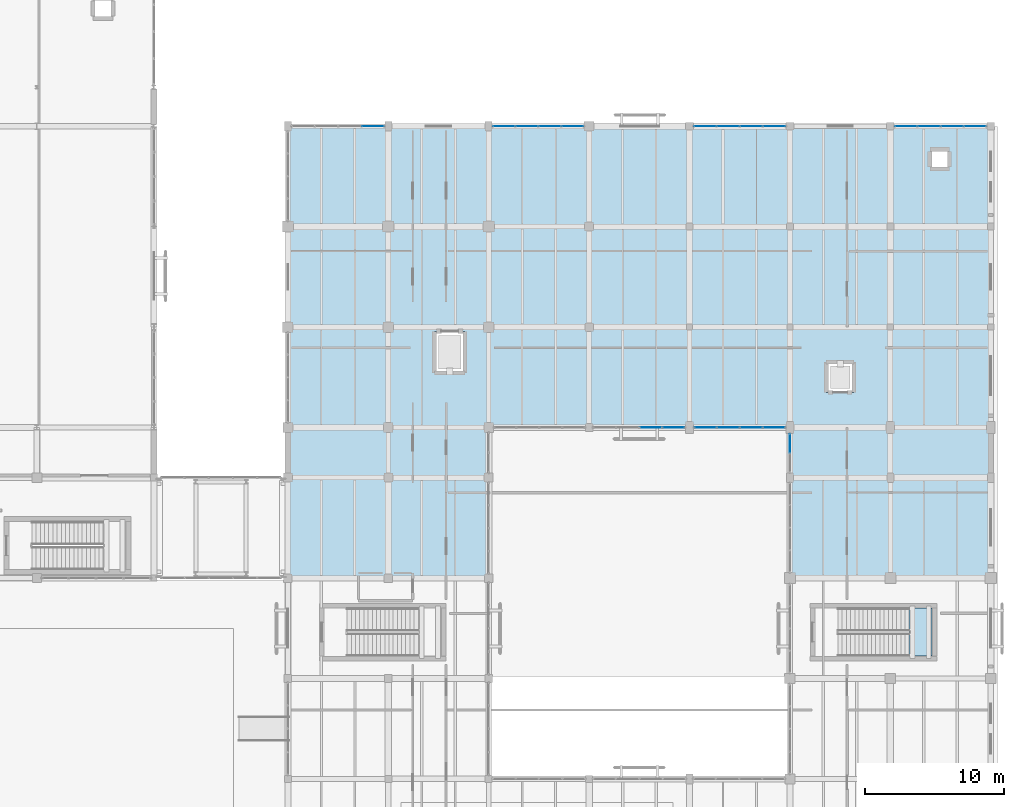
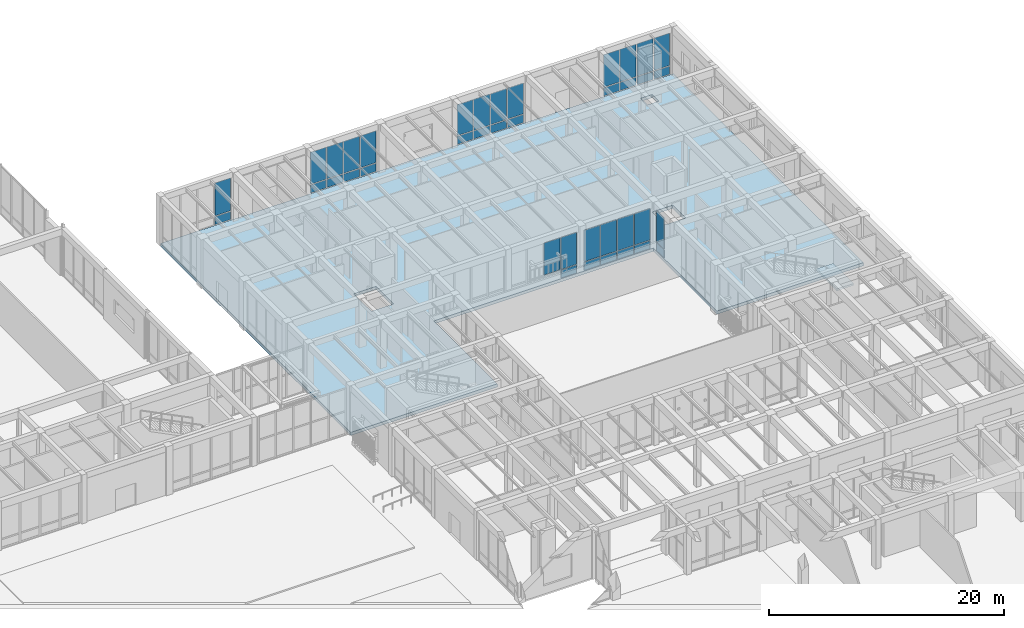
# One storey, part 119 of 169: 39 plates, 2 slabs, 8 elements without a shape of their own.
"""IFC4 building model written with IfcOpenShell, lengths in metres."""

from ifc_helpers import new_model, si_unit, direction, frame, origin, origin_2d, place, context, subcontext, project, spatial, polyline, rectangle, outline, extrude, material, layer, layer_set, type_object, element, aggregate, save


model = new_model("IFC4")

# Units and contexts
model_context = context("Model", 3, precision=1e-05, world=origin(), true_north=direction((0.0, 1.0)))
body_context = subcontext(model_context, "Body", "Model", "MODEL_VIEW")
ifc_project = project(units=[si_unit("LENGTHUNIT", "METRE"), si_unit("AREAUNIT", "SQUARE_METRE"), si_unit("VOLUMEUNIT", "CUBIC_METRE"), si_unit("PLANEANGLEUNIT", "RADIAN"), si_unit("MASSUNIT", "GRAM", prefix="KILO")], contexts=[model_context])

# Site, building, storey
site_placement = place(None, origin())
site = spatial("IfcSite", under=ifc_project, at=site_placement, CompositionType="ELEMENT")
building_placement = place(site_placement, origin())
building = spatial("IfcBuilding", under=site, at=building_placement, Name="Mazaris Harbour Polytechnic", CompositionType="ELEMENT")
storey_placement = place(building_placement, origin())
storey = spatial("IfcBuildingStorey", under=building, at=storey_placement, Name="L00", CompositionType="ELEMENT", Elevation=0.0)

# Slab
ifc_material_1 = material(Name="Concrete C35/45", Category="concrete")
ifc_layer_1 = layer(ifc_material_1, 0.320068359375, Name="Concrete C35/45")
ifc_layer_set_1 = layer_set([ifc_layer_1], Name="Concrete C35/45")
slab_type_1 = type_object("IfcSlabType", Name="RC Podium Slab 320", PredefinedType="FLOOR", material=ifc_layer_set_1)
slab_1_placement = place(storey_placement, frame((0.0, 0.0, -0.320068359375)))
element("IfcSlab", 1, at=slab_1_placement, inside=storey, type_object=slab_type_1, Name="V5 L00 Floor Slab", PredefinedType="FLOOR", context=body_context, shape_type="SweptSolid", body=[
    extrude(outline(polyline([(172.800048828125, 75.60009765625), (158.39990234375, 75.60009765625), (158.39990234375, 86.39990234375), (136.800048828125, 86.39990234375), (136.800048828125, 75.60009765625), (122.39990234375, 75.60009765625), (122.39990234375, 108.0), (172.800048828125, 108.0), (172.800048828125, 75.60009765625)]), holes=[polyline([(135.10009765625, 93.300048828125), (132.89990234375, 93.300048828125), (132.89990234375, 90.300048828125), (135.10009765625, 90.300048828125), (135.10009765625, 93.300048828125)]), polyline([(163.0, 88.89990234375), (163.0, 91.10009765625), (161.0, 91.10009765625), (161.0, 88.89990234375), (163.0, 88.89990234375)]), polyline([(168.580078125, 106.199951171875), (168.580078125, 105.080078125), (169.699951171875, 105.080078125), (169.699951171875, 106.199951171875), (168.580078125, 106.199951171875)])]), origin(), (0.0, 0.0, 1.0), 0.320068359375),
])

# Stair, slab
ifc_material_2 = material(Name="Concrete C40/50", Category="concrete")
stair_type = type_object("IfcStairType", Name="Core Exit Stair H5400", PredefinedType="HALF_TURN_STAIR", material=ifc_material_2)
stair_placement = place(storey_placement, origin())
stair = element("IfcStair", 2, at=stair_placement, inside=storey, type_object=stair_type, Name="L00 ST10", PredefinedType="HALF_TURN_STAIR")
ifc_material_3 = material(Name="Concrete C40/50", Category="concrete")
ifc_layer_2 = layer(ifc_material_3, 0.199951171875, Name="Concrete C40/50")
ifc_layer_set_2 = layer_set([ifc_layer_2], Name="Concrete C40/50")
slab_type_2 = type_object("IfcSlabType", Name="RC Stair Landing 200", PredefinedType="LANDING", material=ifc_layer_set_2)
slab_2_placement = place(storey_placement, frame((0.0, 0.0, 2.5)))
slab_2 = element("IfcSlab", 3, at=slab_2_placement, type_object=slab_type_2, Name="ST10 landing 1", PredefinedType="LANDING", context=body_context, shape_type="SweptSolid", body=[
    extrude(outline(polyline([(166.949951171875, 70.0), (168.60009765625, 70.0), (168.60009765625, 73.449951171875), (166.949951171875, 73.449951171875), (166.949951171875, 70.0)])), origin(), (0.0, 0.0, 1.0), 0.199951171875),
])
aggregate(stair, [slab_2])

# Curtain wall, plates
ifc_material_4 = material(Name="Anodised Bronze Aluminium and Low-E Glass", Category="aluminium")
ifc_layer_3 = layer(ifc_material_4, 0.169921875, Name="Anodised Bronze Aluminium and Low-E Glass")
ifc_layer_set_3 = layer_set([ifc_layer_3], Name="Anodised Bronze Aluminium and Low-E Glass")
curtain_wall_type = type_object("IfcCurtainWallType", Name="Studio North-Light Curtain Wall", PredefinedType="NOTDEFINED", material=ifc_layer_set_3)
curtain_wall_1_placement = place(storey_placement, origin())
curtain_wall_1 = element("IfcCurtainWall", 4, at=curtain_wall_1_placement, inside=storey, type_object=curtain_wall_type, Name="V5 L00 Curtain Wall 183", PredefinedType="NOTDEFINED")
ifc_material_5 = material(Name="Solar-Control Low-E Glazing", Category="glass")
ifc_layer_4 = layer(ifc_material_5, 0.031982421875, Name="Solar-Control Low-E Glazing")
ifc_layer_set_4 = layer_set([ifc_layer_4], Name="Solar-Control Low-E Glazing")
plate_type = type_object("IfcPlateType", Name="Solar Control Studio Glass Panel 32", PredefinedType="CURTAIN_PANEL", material=ifc_layer_set_4)
plate_1_placement = place(storey_placement, frame((128.49853515625, 108.0, 0.080078125), z_axis=(0.0, 0.0, 1.0), x_axis=(1.0, 0.0, 0.0)))
plate_1 = element("IfcPlate", 5, at=plate_1_placement, type_object=plate_type, Name="CW-03 panel 4.1", PredefinedType="CURTAIN_PANEL", context=body_context, shape_type="SweptSolid", body=[
    extrude(rectangle(XDim=1.55908203125, YDim=0.031982421875, at=origin_2d()), origin(), (0.0, 0.0, 1.0), 0.830078125),
])
plate_2_placement = place(storey_placement, frame((128.49853515625, 108.0, 0.989990234375), z_axis=(0.0, 0.0, 1.0), x_axis=(1.0, 0.0, 0.0)))
plate_2 = element("IfcPlate", 6, at=plate_2_placement, type_object=plate_type, Name="CW-03 panel 4.2", PredefinedType="CURTAIN_PANEL", context=body_context, shape_type="SweptSolid", body=[
    extrude(rectangle(XDim=1.55908203125, YDim=0.031982421875, at=origin_2d()), origin(), (0.0, 0.0, 1.0), 3.419921875),
])
aggregate(curtain_wall_1, [plate_1, plate_2])

curtain_wall_2_placement = place(storey_placement, origin())
curtain_wall_2 = element("IfcCurtainWall", 7, at=curtain_wall_2_placement, inside=storey, type_object=curtain_wall_type, Name="V5 L00 Curtain Wall 184", PredefinedType="NOTDEFINED")
plate_3_placement = place(storey_placement, frame((137.888916015625, 108.0, 0.080078125), z_axis=(0.0, 0.0, 1.0), x_axis=(1.0, 0.0, 0.0)))
plate_3 = element("IfcPlate", 8, at=plate_3_placement, type_object=plate_type, Name="CW-03 panel 1.1", PredefinedType="CURTAIN_PANEL", context=body_context, shape_type="SweptSolid", body=[
    extrude(rectangle(XDim=1.533935546875, YDim=0.031982421875, at=origin_2d()), origin(), (0.0, 0.0, 1.0), 0.830078125),
])
plate_4_placement = place(storey_placement, frame((137.888916015625, 108.0, 0.98974609375), z_axis=(0.0, 0.0, 1.0), x_axis=(1.0, 0.0, 0.0)))
plate_4 = element("IfcPlate", 9, at=plate_4_placement, type_object=plate_type, Name="CW-03 panel 1.2", PredefinedType="CURTAIN_PANEL", context=body_context, shape_type="SweptSolid", body=[
    extrude(rectangle(XDim=1.533935546875, YDim=0.031982421875, at=origin_2d()), origin(), (0.0, 0.0, 1.0), 3.320068359375),
])
plate_5_placement = place(storey_placement, frame((139.52294921875, 108.0, 0.080078125), z_axis=(0.0, 0.0, 1.0), x_axis=(1.0, 0.0, 0.0)))
plate_5 = element("IfcPlate", 10, at=plate_5_placement, type_object=plate_type, Name="CW-03 panel 2.1", PredefinedType="CURTAIN_PANEL", context=body_context, shape_type="SweptSolid", body=[
    extrude(rectangle(XDim=1.573974609375, YDim=0.031982421875, at=origin_2d()), origin(), (0.0, 0.0, 1.0), 0.830078125),
])
plate_6_placement = place(storey_placement, frame((139.52294921875, 108.0, 0.98974609375), z_axis=(0.0, 0.0, 1.0), x_axis=(1.0, 0.0, 0.0)))
plate_6 = element("IfcPlate", 11, at=plate_6_placement, type_object=plate_type, Name="CW-03 panel 2.2", PredefinedType="CURTAIN_PANEL", context=body_context, shape_type="SweptSolid", body=[
    extrude(rectangle(XDim=1.573974609375, YDim=0.031982421875, at=origin_2d()), origin(), (0.0, 0.0, 1.0), 3.320068359375),
])
plate_7_placement = place(storey_placement, frame((141.177001953125, 108.0, 0.080078125), z_axis=(0.0, 0.0, 1.0), x_axis=(1.0, 0.0, 0.0)))
plate_7 = element("IfcPlate", 12, at=plate_7_placement, type_object=plate_type, Name="CW-03 panel 3.1", PredefinedType="CURTAIN_PANEL", context=body_context, shape_type="SweptSolid", body=[
    extrude(rectangle(XDim=1.573974609375, YDim=0.031982421875, at=origin_2d()), origin(), (0.0, 0.0, 1.0), 0.830078125),
])
plate_8_placement = place(storey_placement, frame((141.177001953125, 108.0, 0.98974609375), z_axis=(0.0, 0.0, 1.0), x_axis=(1.0, 0.0, 0.0)))
plate_8 = element("IfcPlate", 13, at=plate_8_placement, type_object=plate_type, Name="CW-03 panel 3.2", PredefinedType="CURTAIN_PANEL", context=body_context, shape_type="SweptSolid", body=[
    extrude(rectangle(XDim=1.573974609375, YDim=0.031982421875, at=origin_2d()), origin(), (0.0, 0.0, 1.0), 3.320068359375),
])
plate_9_placement = place(storey_placement, frame((142.81103515625, 108.0, 0.080078125), z_axis=(0.0, 0.0, 1.0), x_axis=(1.0, 0.0, 0.0)))
plate_9 = element("IfcPlate", 14, at=plate_9_placement, type_object=plate_type, Name="CW-03 panel 4.1", PredefinedType="CURTAIN_PANEL", context=body_context, shape_type="SweptSolid", body=[
    extrude(rectangle(XDim=1.533935546875, YDim=0.031982421875, at=origin_2d()), origin(), (0.0, 0.0, 1.0), 0.830078125),
])
plate_10_placement = place(storey_placement, frame((142.81103515625, 108.0, 0.98974609375), z_axis=(0.0, 0.0, 1.0), x_axis=(1.0, 0.0, 0.0)))
plate_10 = element("IfcPlate", 15, at=plate_10_placement, type_object=plate_type, Name="CW-03 panel 4.2", PredefinedType="CURTAIN_PANEL", context=body_context, shape_type="SweptSolid", body=[
    extrude(rectangle(XDim=1.533935546875, YDim=0.031982421875, at=origin_2d()), origin(), (0.0, 0.0, 1.0), 3.320068359375),
])
aggregate(curtain_wall_2, [plate_3, plate_4, plate_5, plate_6, plate_7, plate_8, plate_9, plate_10])

curtain_wall_3_placement = place(storey_placement, origin())
curtain_wall_3 = element("IfcCurtainWall", 16, at=curtain_wall_3_placement, inside=storey, type_object=curtain_wall_type, Name="V5 L00 Curtain Wall 185", PredefinedType="NOTDEFINED")
plate_11_placement = place(storey_placement, frame((152.3203125, 108.0, 0.080078125), z_axis=(0.0, 0.0, 1.0), x_axis=(1.0, 0.0, 0.0)))
plate_11 = element("IfcPlate", 17, at=plate_11_placement, type_object=plate_type, Name="CW-03 panel 1.1", PredefinedType="CURTAIN_PANEL", context=body_context, shape_type="SweptSolid", body=[
    extrude(rectangle(XDim=1.54638671875, YDim=0.031982421875, at=origin_2d()), origin(), (0.0, 0.0, 1.0), 0.830078125),
])
plate_12_placement = place(storey_placement, frame((152.3203125, 108.0, 0.990234375), z_axis=(0.0, 0.0, 1.0), x_axis=(1.0, 0.0, 0.0)))
plate_12 = element("IfcPlate", 18, at=plate_12_placement, type_object=plate_type, Name="CW-03 panel 1.2", PredefinedType="CURTAIN_PANEL", context=body_context, shape_type="SweptSolid", body=[
    extrude(rectangle(XDim=1.54638671875, YDim=0.031982421875, at=origin_2d()), origin(), (0.0, 0.0, 1.0), 3.219970703125),
])
plate_13_placement = place(storey_placement, frame((153.966796875, 108.0, 0.080078125), z_axis=(0.0, 0.0, 1.0), x_axis=(1.0, 0.0, 0.0)))
plate_13 = element("IfcPlate", 19, at=plate_13_placement, type_object=plate_type, Name="CW-03 panel 2.1", PredefinedType="CURTAIN_PANEL", context=body_context, shape_type="SweptSolid", body=[
    extrude(rectangle(XDim=1.58642578125, YDim=0.031982421875, at=origin_2d()), origin(), (0.0, 0.0, 1.0), 0.830078125),
])
plate_14_placement = place(storey_placement, frame((153.966796875, 108.0, 0.990234375), z_axis=(0.0, 0.0, 1.0), x_axis=(1.0, 0.0, 0.0)))
plate_14 = element("IfcPlate", 20, at=plate_14_placement, type_object=plate_type, Name="CW-03 panel 2.2", PredefinedType="CURTAIN_PANEL", context=body_context, shape_type="SweptSolid", body=[
    extrude(rectangle(XDim=1.58642578125, YDim=0.031982421875, at=origin_2d()), origin(), (0.0, 0.0, 1.0), 3.219970703125),
])
plate_15_placement = place(storey_placement, frame((155.63330078125, 108.0, 0.080078125), z_axis=(0.0, 0.0, 1.0), x_axis=(1.0, 0.0, 0.0)))
plate_15 = element("IfcPlate", 21, at=plate_15_placement, type_object=plate_type, Name="CW-03 panel 3.1", PredefinedType="CURTAIN_PANEL", context=body_context, shape_type="SweptSolid", body=[
    extrude(rectangle(XDim=1.58642578125, YDim=0.031982421875, at=origin_2d()), origin(), (0.0, 0.0, 1.0), 0.830078125),
])
plate_16_placement = place(storey_placement, frame((155.63330078125, 108.0, 0.990234375), z_axis=(0.0, 0.0, 1.0), x_axis=(1.0, 0.0, 0.0)))
plate_16 = element("IfcPlate", 22, at=plate_16_placement, type_object=plate_type, Name="CW-03 panel 3.2", PredefinedType="CURTAIN_PANEL", context=body_context, shape_type="SweptSolid", body=[
    extrude(rectangle(XDim=1.58642578125, YDim=0.031982421875, at=origin_2d()), origin(), (0.0, 0.0, 1.0), 3.219970703125),
])
plate_17_placement = place(storey_placement, frame((157.27978515625, 108.0, 0.080078125), z_axis=(0.0, 0.0, 1.0), x_axis=(1.0, 0.0, 0.0)))
plate_17 = element("IfcPlate", 23, at=plate_17_placement, type_object=plate_type, Name="CW-03 panel 4.1", PredefinedType="CURTAIN_PANEL", context=body_context, shape_type="SweptSolid", body=[
    extrude(rectangle(XDim=1.54638671875, YDim=0.031982421875, at=origin_2d()), origin(), (0.0, 0.0, 1.0), 0.830078125),
])
plate_18_placement = place(storey_placement, frame((157.27978515625, 108.0, 0.990234375), z_axis=(0.0, 0.0, 1.0), x_axis=(1.0, 0.0, 0.0)))
plate_18 = element("IfcPlate", 24, at=plate_18_placement, type_object=plate_type, Name="CW-03 panel 4.2", PredefinedType="CURTAIN_PANEL", context=body_context, shape_type="SweptSolid", body=[
    extrude(rectangle(XDim=1.54638671875, YDim=0.031982421875, at=origin_2d()), origin(), (0.0, 0.0, 1.0), 3.219970703125),
])
aggregate(curtain_wall_3, [plate_11, plate_12, plate_13, plate_14, plate_15, plate_16, plate_17, plate_18])

curtain_wall_4_placement = place(storey_placement, origin())
curtain_wall_4 = element("IfcCurtainWall", 25, at=curtain_wall_4_placement, inside=storey, type_object=curtain_wall_type, Name="V5 L00 Curtain Wall 186", PredefinedType="NOTDEFINED")
plate_19_placement = place(storey_placement, frame((166.72021484375, 108.0, 0.080078125), z_axis=(0.0, 0.0, 1.0), x_axis=(1.0, 0.0, 0.0)))
plate_19 = element("IfcPlate", 26, at=plate_19_placement, type_object=plate_type, Name="CW-03 panel 1.1", PredefinedType="CURTAIN_PANEL", context=body_context, shape_type="SweptSolid", body=[
    extrude(rectangle(XDim=1.54638671875, YDim=0.031982421875, at=origin_2d()), origin(), (0.0, 0.0, 1.0), 0.830078125),
])
plate_20_placement = place(storey_placement, frame((166.72021484375, 108.0, 0.989990234375), z_axis=(0.0, 0.0, 1.0), x_axis=(1.0, 0.0, 0.0)))
plate_20 = element("IfcPlate", 27, at=plate_20_placement, type_object=plate_type, Name="CW-03 panel 1.2", PredefinedType="CURTAIN_PANEL", context=body_context, shape_type="SweptSolid", body=[
    extrude(rectangle(XDim=1.54638671875, YDim=0.031982421875, at=origin_2d()), origin(), (0.0, 0.0, 1.0), 3.3701171875),
])
plate_21_placement = place(storey_placement, frame((168.36669921875, 108.0, 0.080078125), z_axis=(0.0, 0.0, 1.0), x_axis=(1.0, 0.0, 0.0)))
plate_21 = element("IfcPlate", 28, at=plate_21_placement, type_object=plate_type, Name="CW-03 panel 2.1", PredefinedType="CURTAIN_PANEL", context=body_context, shape_type="SweptSolid", body=[
    extrude(rectangle(XDim=1.58642578125, YDim=0.031982421875, at=origin_2d()), origin(), (0.0, 0.0, 1.0), 0.830078125),
])
plate_22_placement = place(storey_placement, frame((168.36669921875, 108.0, 0.989990234375), z_axis=(0.0, 0.0, 1.0), x_axis=(1.0, 0.0, 0.0)))
plate_22 = element("IfcPlate", 29, at=plate_22_placement, type_object=plate_type, Name="CW-03 panel 2.2", PredefinedType="CURTAIN_PANEL", context=body_context, shape_type="SweptSolid", body=[
    extrude(rectangle(XDim=1.58642578125, YDim=0.031982421875, at=origin_2d()), origin(), (0.0, 0.0, 1.0), 3.3701171875),
])
plate_23_placement = place(storey_placement, frame((170.033203125, 108.0, 0.080078125), z_axis=(0.0, 0.0, 1.0), x_axis=(1.0, 0.0, 0.0)))
plate_23 = element("IfcPlate", 30, at=plate_23_placement, type_object=plate_type, Name="CW-03 panel 3.1", PredefinedType="CURTAIN_PANEL", context=body_context, shape_type="SweptSolid", body=[
    extrude(rectangle(XDim=1.58642578125, YDim=0.031982421875, at=origin_2d()), origin(), (0.0, 0.0, 1.0), 0.830078125),
])
plate_24_placement = place(storey_placement, frame((170.033203125, 108.0, 0.989990234375), z_axis=(0.0, 0.0, 1.0), x_axis=(1.0, 0.0, 0.0)))
plate_24 = element("IfcPlate", 31, at=plate_24_placement, type_object=plate_type, Name="CW-03 panel 3.2", PredefinedType="CURTAIN_PANEL", context=body_context, shape_type="SweptSolid", body=[
    extrude(rectangle(XDim=1.58642578125, YDim=0.031982421875, at=origin_2d()), origin(), (0.0, 0.0, 1.0), 3.3701171875),
])
plate_25_placement = place(storey_placement, frame((171.6796875, 108.0, 0.080078125), z_axis=(0.0, 0.0, 1.0), x_axis=(1.0, 0.0, 0.0)))
plate_25 = element("IfcPlate", 32, at=plate_25_placement, type_object=plate_type, Name="CW-03 panel 4.1", PredefinedType="CURTAIN_PANEL", context=body_context, shape_type="SweptSolid", body=[
    extrude(rectangle(XDim=1.54638671875, YDim=0.031982421875, at=origin_2d()), origin(), (0.0, 0.0, 1.0), 0.830078125),
])
plate_26_placement = place(storey_placement, frame((171.6796875, 108.0, 0.989990234375), z_axis=(0.0, 0.0, 1.0), x_axis=(1.0, 0.0, 0.0)))
plate_26 = element("IfcPlate", 33, at=plate_26_placement, type_object=plate_type, Name="CW-03 panel 4.2", PredefinedType="CURTAIN_PANEL", context=body_context, shape_type="SweptSolid", body=[
    extrude(rectangle(XDim=1.54638671875, YDim=0.031982421875, at=origin_2d()), origin(), (0.0, 0.0, 1.0), 3.3701171875),
])
aggregate(curtain_wall_4, [plate_19, plate_20, plate_21, plate_22, plate_23, plate_24, plate_25, plate_26])

curtain_wall_5_placement = place(storey_placement, origin())
curtain_wall_5 = element("IfcCurtainWall", 34, at=curtain_wall_5_placement, inside=storey, type_object=curtain_wall_type, Name="V5 L00 Curtain Wall 195", PredefinedType="NOTDEFINED")
plate_27_placement = place(storey_placement, frame((150.057861328125, 86.39990234375, 0.080078125), z_axis=(0.0, 0.0, 1.0), x_axis=(-1.0, 0.0, 0.0)))
plate_27 = element("IfcPlate", 35, at=plate_27_placement, type_object=plate_type, Name="CW-03 panel 1.1", PredefinedType="CURTAIN_PANEL", context=body_context, shape_type="SweptSolid", body=[
    extrude(rectangle(XDim=1.540283203125, YDim=0.031982421875, at=origin_2d()), origin(), (0.0, 0.0, 1.0), 0.830078125),
])
plate_28_placement = place(storey_placement, frame((150.057861328125, 86.39990234375, 0.98974609375), z_axis=(0.0, 0.0, 1.0), x_axis=(-1.0, 0.0, 0.0)))
plate_28 = element("IfcPlate", 36, at=plate_28_placement, type_object=plate_type, Name="CW-03 panel 1.2", PredefinedType="CURTAIN_PANEL", context=body_context, shape_type="SweptSolid", body=[
    extrude(rectangle(XDim=1.540283203125, YDim=0.031982421875, at=origin_2d()), origin(), (0.0, 0.0, 1.0), 3.320068359375),
])
plate_29_placement = place(storey_placement, frame((148.417724609375, 86.39990234375, 0.98974609375), z_axis=(0.0, 0.0, 1.0), x_axis=(-1.0, 0.0, 0.0)))
plate_29 = element("IfcPlate", 37, at=plate_29_placement, type_object=plate_type, Name="CW-03 panel 2.2", PredefinedType="CURTAIN_PANEL", context=body_context, shape_type="SweptSolid", body=[
    extrude(rectangle(XDim=1.580322265625, YDim=0.031982421875, at=origin_2d()), origin(), (0.0, 0.0, 1.0), 3.320068359375),
])
aggregate(curtain_wall_5, [plate_27, plate_28, plate_29])

curtain_wall_6_placement = place(storey_placement, origin())
curtain_wall_6 = element("IfcCurtainWall", 38, at=curtain_wall_6_placement, inside=storey, type_object=curtain_wall_type, Name="V5 L00 Curtain Wall 196", PredefinedType="NOTDEFINED")
plate_30_placement = place(storey_placement, frame((157.260986328125, 86.39990234375, 0.080078125), z_axis=(0.0, 0.0, 1.0), x_axis=(-1.0, 0.0, 0.0)))
plate_30 = element("IfcPlate", 39, at=plate_30_placement, type_object=plate_type, Name="CW-03 panel 1.1", PredefinedType="CURTAIN_PANEL", context=body_context, shape_type="SweptSolid", body=[
    extrude(rectangle(XDim=1.533935546875, YDim=0.031982421875, at=origin_2d()), origin(), (0.0, 0.0, 1.0), 0.830078125),
])
plate_31_placement = place(storey_placement, frame((157.260986328125, 86.39990234375, 0.989990234375), z_axis=(0.0, 0.0, 1.0), x_axis=(-1.0, 0.0, 0.0)))
plate_31 = element("IfcPlate", 40, at=plate_31_placement, type_object=plate_type, Name="CW-03 panel 1.2", PredefinedType="CURTAIN_PANEL", context=body_context, shape_type="SweptSolid", body=[
    extrude(rectangle(XDim=1.533935546875, YDim=0.031982421875, at=origin_2d()), origin(), (0.0, 0.0, 1.0), 3.27001953125),
])
plate_32_placement = place(storey_placement, frame((155.626953125, 86.39990234375, 0.080078125), z_axis=(0.0, 0.0, 1.0), x_axis=(-1.0, 0.0, 0.0)))
plate_32 = element("IfcPlate", 41, at=plate_32_placement, type_object=plate_type, Name="CW-03 panel 2.1", PredefinedType="CURTAIN_PANEL", context=body_context, shape_type="SweptSolid", body=[
    extrude(rectangle(XDim=1.573974609375, YDim=0.031982421875, at=origin_2d()), origin(), (0.0, 0.0, 1.0), 0.830078125),
])
plate_33_placement = place(storey_placement, frame((155.626953125, 86.39990234375, 0.989990234375), z_axis=(0.0, 0.0, 1.0), x_axis=(-1.0, 0.0, 0.0)))
plate_33 = element("IfcPlate", 42, at=plate_33_placement, type_object=plate_type, Name="CW-03 panel 2.2", PredefinedType="CURTAIN_PANEL", context=body_context, shape_type="SweptSolid", body=[
    extrude(rectangle(XDim=1.573974609375, YDim=0.031982421875, at=origin_2d()), origin(), (0.0, 0.0, 1.0), 3.27001953125),
])
plate_34_placement = place(storey_placement, frame((153.972900390625, 86.39990234375, 0.080078125), z_axis=(0.0, 0.0, 1.0), x_axis=(-1.0, 0.0, 0.0)))
plate_34 = element("IfcPlate", 43, at=plate_34_placement, type_object=plate_type, Name="CW-03 panel 3.1", PredefinedType="CURTAIN_PANEL", context=body_context, shape_type="SweptSolid", body=[
    extrude(rectangle(XDim=1.573974609375, YDim=0.031982421875, at=origin_2d()), origin(), (0.0, 0.0, 1.0), 0.830078125),
])
plate_35_placement = place(storey_placement, frame((153.972900390625, 86.39990234375, 0.989990234375), z_axis=(0.0, 0.0, 1.0), x_axis=(-1.0, 0.0, 0.0)))
plate_35 = element("IfcPlate", 44, at=plate_35_placement, type_object=plate_type, Name="CW-03 panel 3.2", PredefinedType="CURTAIN_PANEL", context=body_context, shape_type="SweptSolid", body=[
    extrude(rectangle(XDim=1.573974609375, YDim=0.031982421875, at=origin_2d()), origin(), (0.0, 0.0, 1.0), 3.27001953125),
])
plate_36_placement = place(storey_placement, frame((152.339111328125, 86.39990234375, 0.080078125), z_axis=(0.0, 0.0, 1.0), x_axis=(-1.0, 0.0, 0.0)))
plate_36 = element("IfcPlate", 45, at=plate_36_placement, type_object=plate_type, Name="CW-03 panel 4.1", PredefinedType="CURTAIN_PANEL", context=body_context, shape_type="SweptSolid", body=[
    extrude(rectangle(XDim=1.533935546875, YDim=0.031982421875, at=origin_2d()), origin(), (0.0, 0.0, 1.0), 0.830078125),
])
plate_37_placement = place(storey_placement, frame((152.339111328125, 86.39990234375, 0.989990234375), z_axis=(0.0, 0.0, 1.0), x_axis=(-1.0, 0.0, 0.0)))
plate_37 = element("IfcPlate", 46, at=plate_37_placement, type_object=plate_type, Name="CW-03 panel 4.2", PredefinedType="CURTAIN_PANEL", context=body_context, shape_type="SweptSolid", body=[
    extrude(rectangle(XDim=1.533935546875, YDim=0.031982421875, at=origin_2d()), origin(), (0.0, 0.0, 1.0), 3.27001953125),
])
aggregate(curtain_wall_6, [plate_30, plate_31, plate_32, plate_33, plate_34, plate_35, plate_36, plate_37])

curtain_wall_7_placement = place(storey_placement, origin())
curtain_wall_7 = element("IfcCurtainWall", 47, at=curtain_wall_7_placement, inside=storey, type_object=curtain_wall_type, Name="V5 L00 Curtain Wall 204", PredefinedType="NOTDEFINED")
plate_38_placement = place(storey_placement, frame((158.39990234375, 85.252685546875, 0.080078125), z_axis=(0.0, 0.0, 1.0), x_axis=(0.0, -1.0, 0.0)))
plate_38 = element("IfcPlate", 48, at=plate_38_placement, type_object=plate_type, Name="CW-03 panel 1.1", PredefinedType="CURTAIN_PANEL", context=body_context, shape_type="SweptSolid", body=[
    extrude(rectangle(XDim=1.300537109375, YDim=0.031982421875, at=origin_2d()), origin(), (0.0, 0.0, 1.0), 0.830078125),
])
plate_39_placement = place(storey_placement, frame((158.39990234375, 85.252685546875, 0.989990234375), z_axis=(0.0, 0.0, 1.0), x_axis=(0.0, -1.0, 0.0)))
plate_39 = element("IfcPlate", 49, at=plate_39_placement, type_object=plate_type, Name="CW-03 panel 1.2", PredefinedType="CURTAIN_PANEL", context=body_context, shape_type="SweptSolid", body=[
    extrude(rectangle(XDim=1.300537109375, YDim=0.031982421875, at=origin_2d()), origin(), (0.0, 0.0, 1.0), 3.27001953125),
])
aggregate(curtain_wall_7, [plate_38, plate_39])

save(model, "model.ifc")
